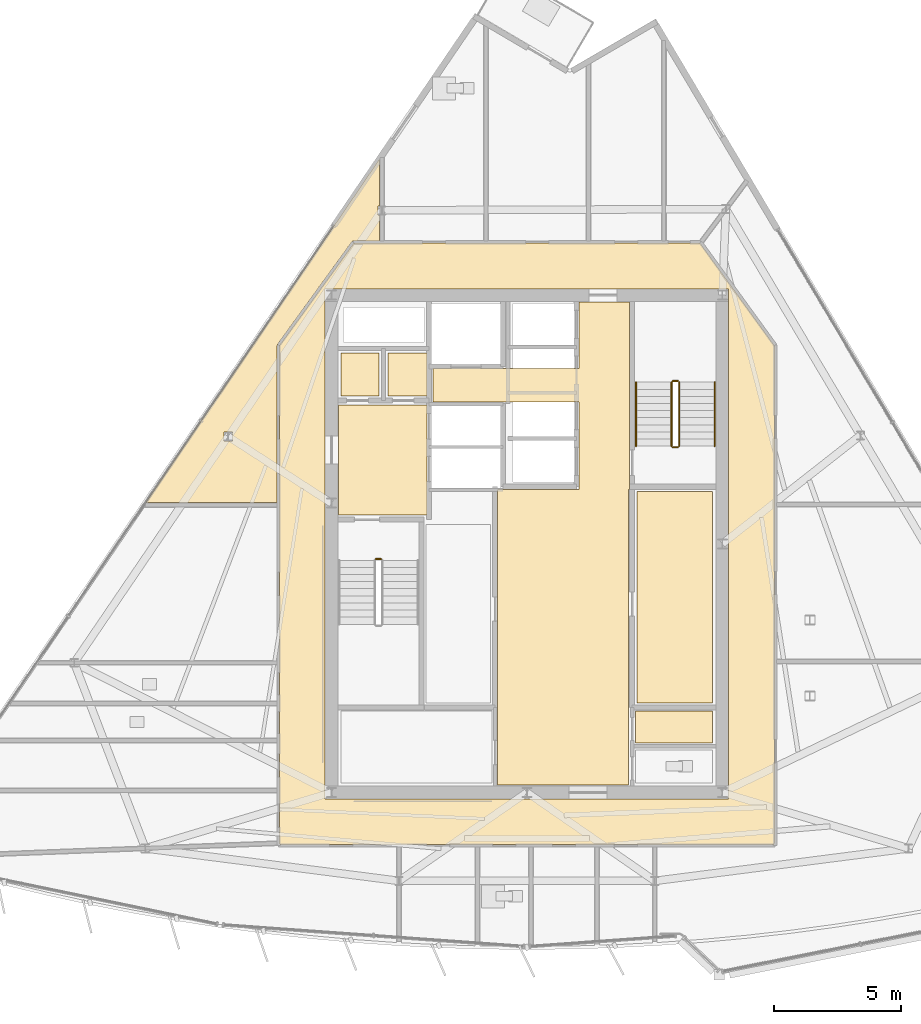
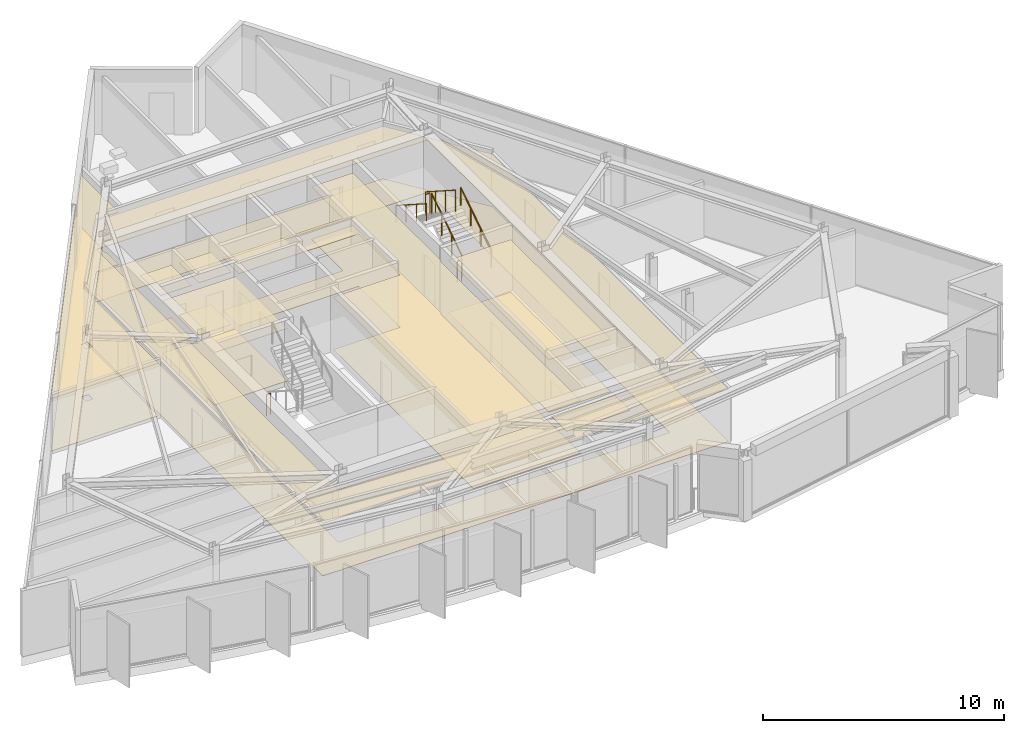
# One storey, part 12 of 14: 15 coverings, 7 railings.
"""IFC4 building model written with IfcOpenShell, lengths in metres."""

from ifc_helpers import new_model, si_unit, direction, frame, origin, origin_2d, place, context, subcontext, project, spatial, polyline, circle, outline, extrude, material, layer, layer_set, type_object, element, save


model = new_model("IFC4")

# Units and contexts
model_context = context("Model", 3, precision=1e-05, world=origin(), true_north=direction((0.0, 1.0)))
body_context = subcontext(model_context, "Body", "Model", "MODEL_VIEW")
ifc_project = project(units=[si_unit("LENGTHUNIT", "METRE"), si_unit("AREAUNIT", "SQUARE_METRE"), si_unit("VOLUMEUNIT", "CUBIC_METRE"), si_unit("PLANEANGLEUNIT", "RADIAN"), si_unit("MASSUNIT", "GRAM", prefix="KILO")], contexts=[model_context])

# Site, building, storey
site_placement = place(None, origin())
site = spatial("IfcSite", under=ifc_project, at=site_placement, CompositionType="ELEMENT")
building_placement = place(site_placement, origin())
building = spatial("IfcBuilding", under=site, at=building_placement, Name="Savorim Split Tower", CompositionType="ELEMENT")
storey_placement = place(building_placement, frame((0.0, 0.0, 294.0)))
storey = spatial("IfcBuildingStorey", under=building, at=storey_placement, Name="L78", CompositionType="ELEMENT", Elevation=294.0)

# Coverings
ifc_material_1 = material(Name="Mineral Fibre Acoustic Ceiling")
ifc_layer_1 = layer(ifc_material_1, 0.02490234375)
ifc_layer_set_1 = layer_set([ifc_layer_1], Name="COV-CEIL-25")
covering_type_1 = type_object("IfcCoveringType", Name="COV-CEIL-25", PredefinedType="CEILING", material=ifc_layer_set_1)
covering_1_placement = place(storey_placement, frame((0.0, 0.0, 2.659912109375)))
element("IfcCovering", 1, at=covering_1_placement, inside=storey, type_object=covering_type_1, Name="L78 Firefighting Lift Lobby Acoustic Ceiling", PredefinedType="CEILING", context=body_context, shape_type="SweptSolid", body=[
    extrude(outline(polyline([(-7.429931640625, 5.8701171875), (-7.429931640625, 1.530029296875), (-3.929931640625, 1.530029296875), (-3.929931640625, 5.8701171875), (-7.429931640625, 5.8701171875)])), origin(), (0.0, 0.0, 1.0), 0.025146484375),
])
covering_2_placement = place(storey_placement, frame((0.0, 0.0, 2.659912109375)))
element("IfcCovering", 2, at=covering_2_placement, inside=storey, type_object=covering_type_1, Name="L78 Electrical Riser Acoustic Ceiling", PredefinedType="CEILING", context=body_context, shape_type="SweptSolid", body=[
    extrude(outline(polyline([(-7.320068359375, 7.919921875), (-7.320068359375, 6.22998046875), (-5.830078125, 6.22998046875), (-5.830078125, 7.919921875), (-7.320068359375, 7.919921875)])), origin(), (0.0, 0.0, 1.0), 0.025146484375),
])
covering_3_placement = place(storey_placement, frame((0.0, 0.0, 2.659912109375)))
element("IfcCovering", 3, at=covering_3_placement, inside=storey, type_object=covering_type_1, Name="L78 Telecom Riser Acoustic Ceiling", PredefinedType="CEILING", context=body_context, shape_type="SweptSolid", body=[
    extrude(outline(polyline([(-5.469970703125, 7.919921875), (-5.469970703125, 6.22998046875), (-3.929931640625, 6.22998046875), (-3.929931640625, 7.919921875), (-5.469970703125, 7.919921875)])), origin(), (0.0, 0.0, 1.0), 0.025146484375),
])
covering_4_placement = place(storey_placement, frame((0.0, 0.0, 2.659912109375)))
element("IfcCovering", 4, at=covering_4_placement, inside=storey, type_object=covering_type_1, Name="L78 Lift Lobby Acoustic Ceiling", PredefinedType="CEILING", context=body_context, shape_type="SweptSolid", body=[
    extrude(outline(polyline([(2.050048828125, 2.550048828125), (-1.14990234375, 2.550048828125), (-1.14990234375, -9.10009765625), (4.0, -9.10009765625), (4.0, 2.550048828125), (4.050048828125, 2.550048828125), (4.050048828125, 5.97998046875), (4.050048828125, 7.300048828125), (4.050048828125, 9.929931640625), (2.050048828125, 9.929931640625), (2.050048828125, 7.300048828125), (-3.699951171875, 7.300048828125), (-3.699951171875, 5.97998046875), (2.050048828125, 5.97998046875), (2.050048828125, 2.550048828125)])), origin(), (0.0, 0.0, 1.0), 0.025146484375),
])
covering_5_placement = place(storey_placement, frame((0.0, 0.0, 2.659912109375)))
element("IfcCovering", 5, at=covering_5_placement, inside=storey, type_object=covering_type_1, Name="L78 Shared Pantry and Linen Room Acoustic Ceiling", PredefinedType="CEILING", context=body_context, shape_type="SweptSolid", body=[
    extrude(outline(polyline([(4.330078125, 2.469970703125), (4.330078125, -5.8701171875), (7.320068359375, -5.8701171875), (7.320068359375, 2.469970703125), (4.330078125, 2.469970703125)])), origin(), (0.0, 0.0, 1.0), 0.025146484375),
])
covering_6_placement = place(storey_placement, frame((0.0, 0.0, 2.659912109375)))
element("IfcCovering", 6, at=covering_6_placement, inside=storey, type_object=covering_type_1, Name="L78 Corridor Acoustic Ceiling", PredefinedType="CEILING", context=body_context, shape_type="SweptSolid", body=[
    extrude(outline(polyline([(6.809326171875, 12.2490234375), (6.8046875, 12.249755859375), (6.800048828125, 12.25), (-6.800048828125, 12.25), (-6.8046875, 12.249755859375), (-6.809326171875, 12.2490234375), (-6.81396484375, 12.248046875), (-6.818359375, 12.24658203125), (-6.82275390625, 12.244384765625), (-6.826904296875, 12.2421875), (-6.830810546875, 12.239501953125), (-6.834228515625, 12.236328125), (-6.83740234375, 12.23291015625), (-6.840576171875, 12.229248046875), (-9.740478515625, 8.229248046875), (-9.743408203125, 8.22509765625), (-9.74560546875, 8.22021484375), (-9.74755859375, 8.21533203125), (-9.748779296875, 8.21044921875), (-9.749755859375, 8.205078125), (-9.75, 8.199951171875), (-9.75, -11.39990234375), (-9.749755859375, -11.40478515625), (-9.7490234375, -11.409912109375), (-9.747802734375, -11.41455078125), (-9.74609375, -11.419189453125), (-9.744140625, -11.423583984375), (-9.74169921875, -11.427734375), (-9.73876953125, -11.431640625), (-9.7353515625, -11.435302734375), (-9.731689453125, -11.438720703125), (-9.727783203125, -11.441650390625), (-9.7236328125, -11.444091796875), (-9.718994140625, -11.4462890625), (-9.714599609375, -11.44775390625), (-9.709716796875, -11.448974609375), (-9.704833984375, -11.44970703125), (-9.699951171875, -11.449951171875), (9.699951171875, -11.449951171875), (9.704833984375, -11.44970703125), (9.709716796875, -11.448974609375), (9.714599609375, -11.44775390625), (9.718994140625, -11.4462890625), (9.7236328125, -11.444091796875), (9.727783203125, -11.441650390625), (9.731689453125, -11.438720703125), (9.7353515625, -11.435302734375), (9.73876953125, -11.431640625), (9.74169921875, -11.427734375), (9.744140625, -11.423583984375), (9.74609375, -11.419189453125), (9.747802734375, -11.41455078125), (9.7490234375, -11.409912109375), (9.749755859375, -11.40478515625), (9.75, -11.39990234375), (9.75, 8.199951171875), (9.749755859375, 8.205078125), (9.748779296875, 8.21044921875), (9.74755859375, 8.21533203125), (9.74560546875, 8.22021484375), (9.743408203125, 8.22509765625), (9.740478515625, 8.229248046875), (6.840576171875, 12.229248046875), (6.83740234375, 12.23291015625), (6.834228515625, 12.236328125), (6.830810546875, 12.239501953125), (6.826904296875, 12.2421875), (6.82275390625, 12.244384765625), (6.818359375, 12.24658203125), (6.81396484375, 12.248046875), (6.809326171875, 12.2490234375)]), holes=[polyline([(-7.949951171875, 10.449951171875), (-7.949951171875, -9.64990234375), (7.949951171875, -9.64990234375), (7.949951171875, 10.449951171875), (-7.949951171875, 10.449951171875)])]), origin(), (0.0, 0.0, 1.0), 0.025146484375),
])
covering_7_placement = place(storey_placement, frame((0.0, 0.0, 2.659912109375)))
element("IfcCovering", 7, at=covering_7_placement, inside=storey, type_object=covering_type_1, Name="L78 Maker Workshop Acoustic Ceiling", PredefinedType="CEILING", context=body_context, shape_type="SweptSolid", body=[
    extrude(outline(polyline([(-6.813232421875, 12.33935546875), (-6.800048828125, 12.340087890625), (-5.80517578125, 12.340087890625), (-5.80517578125, 13.3671875), (-5.874755859375, 13.3671875), (-5.874755859375, 13.71728515625), (-5.80517578125, 13.71728515625), (-5.80517578125, 15.572998046875), (-15.021728515625, 2.02490234375), (-9.840087890625, 2.02490234375), (-9.840087890625, 8.199951171875), (-9.839111328125, 8.214599609375), (-9.8369140625, 8.22900390625), (-9.833251953125, 8.2431640625), (-9.827880859375, 8.2568359375), (-9.8212890625, 8.27001953125), (-9.813232421875, 8.2822265625), (-6.913330078125, 12.2822265625), (-6.905029296875, 12.29248046875), (-6.89599609375, 12.302001953125), (-6.885986328125, 12.310546875), (-6.875, 12.318115234375), (-6.863525390625, 12.32470703125), (-6.8515625, 12.330078125), (-6.839111328125, 12.33447265625), (-6.826416015625, 12.33740234375), (-6.813232421875, 12.33935546875)]), holes=[polyline([(-11.61083984375, 4.451904296875), (-11.61083984375, 4.8017578125), (-11.939697265625, 4.8017578125), (-11.939697265625, 4.451904296875), (-11.61083984375, 4.451904296875)])]), origin(), (0.0, 0.0, 1.0), 0.025146484375),
])
ifc_material_2 = material(Name="Porcelain Stoneware Flooring", Category="masonry")
ifc_layer_2 = layer(ifc_material_2, 0.02001953125)
ifc_layer_set_2 = layer_set([ifc_layer_2], Name="COV-FLOR-20")
covering_type_2 = type_object("IfcCoveringType", Name="COV-FLOR-20", PredefinedType="FLOORING", material=ifc_layer_set_2)
covering_8_placement = place(storey_placement, origin())
element("IfcCovering", 8, at=covering_8_placement, inside=storey, type_object=covering_type_2, Name="L78 Firefighting Lift Lobby Porcelain Flooring", PredefinedType="FLOORING", context=body_context, shape_type="SweptSolid", body=[
    extrude(outline(polyline([(-7.429931640625, 5.8701171875), (-7.429931640625, 1.530029296875), (-3.929931640625, 1.530029296875), (-3.929931640625, 5.8701171875), (-7.429931640625, 5.8701171875)])), origin(), (0.0, 0.0, 1.0), 0.02001953125),
])
covering_9_placement = place(storey_placement, origin())
element("IfcCovering", 9, at=covering_9_placement, inside=storey, type_object=covering_type_2, Name="L78 Electrical Riser Porcelain Flooring", PredefinedType="FLOORING", context=body_context, shape_type="SweptSolid", body=[
    extrude(outline(polyline([(-7.320068359375, 7.919921875), (-7.320068359375, 6.22998046875), (-5.830078125, 6.22998046875), (-5.830078125, 7.919921875), (-7.320068359375, 7.919921875)])), origin(), (0.0, 0.0, 1.0), 0.02001953125),
])
covering_10_placement = place(storey_placement, origin())
element("IfcCovering", 10, at=covering_10_placement, inside=storey, type_object=covering_type_2, Name="L78 Telecom Riser Porcelain Flooring", PredefinedType="FLOORING", context=body_context, shape_type="SweptSolid", body=[
    extrude(outline(polyline([(-5.469970703125, 7.919921875), (-5.469970703125, 6.22998046875), (-3.929931640625, 6.22998046875), (-3.929931640625, 7.919921875), (-5.469970703125, 7.919921875)])), origin(), (0.0, 0.0, 1.0), 0.02001953125),
])
covering_11_placement = place(storey_placement, origin())
element("IfcCovering", 11, at=covering_11_placement, inside=storey, type_object=covering_type_2, Name="L78 Lift Lobby Porcelain Flooring", PredefinedType="FLOORING", context=body_context, shape_type="SweptSolid", body=[
    extrude(outline(polyline([(2.050048828125, 2.550048828125), (-1.14990234375, 2.550048828125), (-1.14990234375, -9.10009765625), (4.0, -9.10009765625), (4.0, 2.550048828125), (4.050048828125, 2.550048828125), (4.050048828125, 5.97998046875), (4.050048828125, 7.300048828125), (4.050048828125, 9.929931640625), (2.050048828125, 9.929931640625), (2.050048828125, 7.300048828125), (-3.699951171875, 7.300048828125), (-3.699951171875, 5.97998046875), (2.050048828125, 5.97998046875), (2.050048828125, 2.550048828125)])), origin(), (0.0, 0.0, 1.0), 0.02001953125),
])
covering_12_placement = place(storey_placement, origin())
element("IfcCovering", 12, at=covering_12_placement, inside=storey, type_object=covering_type_2, Name="L78 Shared Pantry and Linen Room Porcelain Flooring", PredefinedType="FLOORING", context=body_context, shape_type="SweptSolid", body=[
    extrude(outline(polyline([(4.330078125, 2.469970703125), (4.330078125, -5.8701171875), (7.320068359375, -5.8701171875), (7.320068359375, 2.469970703125), (4.330078125, 2.469970703125)])), origin(), (0.0, 0.0, 1.0), 0.02001953125),
])
covering_13_placement = place(storey_placement, origin())
element("IfcCovering", 13, at=covering_13_placement, inside=storey, type_object=covering_type_2, Name="L78 Cleaning Store Porcelain Flooring", PredefinedType="FLOORING", context=body_context, shape_type="SweptSolid", body=[
    extrude(outline(polyline([(4.280029296875, -6.179931640625), (4.280029296875, -7.43994140625), (7.320068359375, -7.43994140625), (7.320068359375, -6.179931640625), (4.280029296875, -6.179931640625)])), origin(), (0.0, 0.0, 1.0), 0.02001953125),
])
covering_14_placement = place(storey_placement, origin())
element("IfcCovering", 14, at=covering_14_placement, inside=storey, type_object=covering_type_2, Name="L78 Corridor Porcelain Flooring", PredefinedType="FLOORING", context=body_context, shape_type="SweptSolid", body=[
    extrude(outline(polyline([(6.809326171875, 12.2490234375), (6.8046875, 12.249755859375), (6.800048828125, 12.25), (-6.800048828125, 12.25), (-6.8046875, 12.249755859375), (-6.809326171875, 12.2490234375), (-6.81396484375, 12.248046875), (-6.818359375, 12.24658203125), (-6.82275390625, 12.244384765625), (-6.826904296875, 12.2421875), (-6.830810546875, 12.239501953125), (-6.834228515625, 12.236328125), (-6.83740234375, 12.23291015625), (-6.840576171875, 12.229248046875), (-9.740478515625, 8.229248046875), (-9.743408203125, 8.22509765625), (-9.74560546875, 8.22021484375), (-9.74755859375, 8.21533203125), (-9.748779296875, 8.21044921875), (-9.749755859375, 8.205078125), (-9.75, 8.199951171875), (-9.75, -11.39990234375), (-9.749755859375, -11.40478515625), (-9.7490234375, -11.409912109375), (-9.747802734375, -11.41455078125), (-9.74609375, -11.419189453125), (-9.744140625, -11.423583984375), (-9.74169921875, -11.427734375), (-9.73876953125, -11.431640625), (-9.7353515625, -11.435302734375), (-9.731689453125, -11.438720703125), (-9.727783203125, -11.441650390625), (-9.7236328125, -11.444091796875), (-9.718994140625, -11.4462890625), (-9.714599609375, -11.44775390625), (-9.709716796875, -11.448974609375), (-9.704833984375, -11.44970703125), (-9.699951171875, -11.449951171875), (9.699951171875, -11.449951171875), (9.704833984375, -11.44970703125), (9.709716796875, -11.448974609375), (9.714599609375, -11.44775390625), (9.718994140625, -11.4462890625), (9.7236328125, -11.444091796875), (9.727783203125, -11.441650390625), (9.731689453125, -11.438720703125), (9.7353515625, -11.435302734375), (9.73876953125, -11.431640625), (9.74169921875, -11.427734375), (9.744140625, -11.423583984375), (9.74609375, -11.419189453125), (9.747802734375, -11.41455078125), (9.7490234375, -11.409912109375), (9.749755859375, -11.40478515625), (9.75, -11.39990234375), (9.75, 8.199951171875), (9.749755859375, 8.205078125), (9.748779296875, 8.21044921875), (9.74755859375, 8.21533203125), (9.74560546875, 8.22021484375), (9.743408203125, 8.22509765625), (9.740478515625, 8.229248046875), (6.840576171875, 12.229248046875), (6.83740234375, 12.23291015625), (6.834228515625, 12.236328125), (6.830810546875, 12.239501953125), (6.826904296875, 12.2421875), (6.82275390625, 12.244384765625), (6.818359375, 12.24658203125), (6.81396484375, 12.248046875), (6.809326171875, 12.2490234375)]), holes=[polyline([(-7.949951171875, 10.449951171875), (-7.949951171875, -9.64990234375), (7.949951171875, -9.64990234375), (7.949951171875, 10.449951171875), (-7.949951171875, 10.449951171875)])]), origin(), (0.0, 0.0, 1.0), 0.02001953125),
])
covering_15_placement = place(storey_placement, origin())
element("IfcCovering", 15, at=covering_15_placement, inside=storey, type_object=covering_type_2, Name="L78 Maker Workshop Porcelain Flooring", PredefinedType="FLOORING", context=body_context, shape_type="SweptSolid", body=[
    extrude(outline(polyline([(-6.813232421875, 12.33935546875), (-6.800048828125, 12.340087890625), (-5.80517578125, 12.340087890625), (-5.80517578125, 13.3671875), (-5.874755859375, 13.3671875), (-5.874755859375, 13.71728515625), (-5.80517578125, 13.71728515625), (-5.80517578125, 15.572998046875), (-15.021728515625, 2.02490234375), (-9.840087890625, 2.02490234375), (-9.840087890625, 8.199951171875), (-9.839111328125, 8.214599609375), (-9.8369140625, 8.22900390625), (-9.833251953125, 8.2431640625), (-9.827880859375, 8.2568359375), (-9.8212890625, 8.27001953125), (-9.813232421875, 8.2822265625), (-6.913330078125, 12.2822265625), (-6.905029296875, 12.29248046875), (-6.89599609375, 12.302001953125), (-6.885986328125, 12.310546875), (-6.875, 12.318115234375), (-6.863525390625, 12.32470703125), (-6.8515625, 12.330078125), (-6.839111328125, 12.33447265625), (-6.826416015625, 12.33740234375), (-6.813232421875, 12.33935546875)]), holes=[polyline([(-11.61083984375, 4.451904296875), (-11.61083984375, 4.8017578125), (-11.939697265625, 4.8017578125), (-11.939697265625, 4.451904296875), (-11.61083984375, 4.451904296875)])]), origin(), (0.0, 0.0, 1.0), 0.02001953125),
])

# Railings
ifc_material_3 = material(Name="Galvanised Painted Steel Balustrade", Category="steel")
railing_type_1 = type_object("IfcRailingType", Name="RLG-HR-900", PredefinedType="HANDRAIL", material=ifc_material_3)
railing_1_placement = place(storey_placement, frame((7.39990234375, 4.25, 0.179931640625)))
element("IfcRailing", 16, at=railing_1_placement, inside=storey, type_object=railing_type_1, Name="L78 ST-2 stair handrail 1", PredefinedType="HANDRAIL", context=body_context, shape_type="SweptSolid", body=[
    extrude(circle(Radius=0.02392578125, at=origin_2d()), frame((0.0, 0.0, 0.8759765625), z_axis=(0.0, 0.841162588446, 0.540782303519), x_axis=(-1.0, 0.0, 0.0)), (0.0, 0.0, 1.0), 2.995849609375),
    extrude(circle(Radius=0.02099609375, at=origin_2d()), origin(), (0.0, 0.0, 1.0), 0.851806640625),
    extrude(circle(Radius=0.02099609375, at=origin_2d()), frame((0.0, 0.840087890625, 0.5400390625)), (0.0, 0.0, 1.0), 0.851806640625),
    extrude(circle(Radius=0.02099609375, at=origin_2d()), frame((0.0, 1.679931640625, 1.080078125)), (0.0, 0.0, 1.0), 0.851806640625),
    extrude(circle(Radius=0.02099609375, at=origin_2d()), frame((0.0, 2.52001953125, 1.6201171875)), (0.0, 0.0, 1.0), 0.851806640625),
])
railing_2_placement = place(storey_placement, frame((4.300048828125, 6.77001953125, 1.97998046875)))
element("IfcRailing", 17, at=railing_2_placement, inside=storey, type_object=railing_type_1, Name="L78 ST-2 stair handrail 2", PredefinedType="HANDRAIL", context=body_context, shape_type="SweptSolid", body=[
    extrude(circle(Radius=0.02392578125, at=origin_2d()), frame((0.0, 0.0, 0.8759765625), z_axis=(0.0, -0.841162588446, 0.540782303519), x_axis=(1.0, 0.0, 0.0)), (0.0, 0.0, 1.0), 2.995849609375),
    extrude(circle(Radius=0.02099609375, at=origin_2d()), origin(), (0.0, 0.0, 1.0), 0.851806640625),
    extrude(circle(Radius=0.02099609375, at=origin_2d()), frame((0.0, -0.840087890625, 0.5400390625)), (0.0, 0.0, 1.0), 0.851806640625),
    extrude(circle(Radius=0.02099609375, at=origin_2d()), frame((0.0, -1.679931640625, 1.080078125)), (0.0, 0.0, 1.0), 0.851806640625),
    extrude(circle(Radius=0.02099609375, at=origin_2d()), frame((0.0, -2.52001953125, 1.6201171875)), (0.0, 0.0, 1.0), 0.851806640625),
])
railing_type_2 = type_object("IfcRailingType", Name="RLG-STG-1100", PredefinedType="BALUSTRADE", material=ifc_material_3)
railing_3_placement = place(storey_placement, frame((-5.949951171875, -0.199951171875, 0.0)))
element("IfcRailing", 18, at=railing_3_placement, inside=storey, type_object=railing_type_2, Name="L78 ST-1 stair guard 4", PredefinedType="BALUSTRADE", context=body_context, shape_type="SweptSolid", body=[
    extrude(circle(Radius=0.02392578125, at=origin_2d()), frame((0.0, 0.0, 1.076171875), z_axis=(1.0, 0.0, 0.0), x_axis=(0.0, 1.0, 0.0)), (0.0, 0.0, 1.0), 0.199951171875),
    extrude(circle(Radius=0.02099609375, at=origin_2d()), origin(), (0.0, 0.0, 1.0), 1.052001953125),
    extrude(circle(Radius=0.02099609375, at=origin_2d()), frame((0.199951171875, 0.0, 0.0)), (0.0, 0.0, 1.0), 1.052001953125),
])
railing_4_placement = place(storey_placement, frame((6.0, 4.25, 0.179931640625)))
element("IfcRailing", 19, at=railing_4_placement, inside=storey, type_object=railing_type_2, Name="L78 ST-2 stair guard 1", PredefinedType="BALUSTRADE", context=body_context, shape_type="SweptSolid", body=[
    extrude(circle(Radius=0.02392578125, at=origin_2d()), frame((0.0, 0.0, 1.076171875), z_axis=(0.0, 0.841162588446, 0.540782303519), x_axis=(-1.0, 0.0, 0.0)), (0.0, 0.0, 1.0), 2.995849609375),
    extrude(circle(Radius=0.02099609375, at=origin_2d()), origin(), (0.0, 0.0, 1.0), 1.052001953125),
    extrude(circle(Radius=0.02099609375, at=origin_2d()), frame((0.0, 0.840087890625, 0.5400390625)), (0.0, 0.0, 1.0), 1.052001953125),
    extrude(circle(Radius=0.02099609375, at=origin_2d()), frame((0.0, 1.679931640625, 1.080078125)), (0.0, 0.0, 1.0), 1.052001953125),
    extrude(circle(Radius=0.02099609375, at=origin_2d()), frame((0.0, 2.52001953125, 1.6201171875)), (0.0, 0.0, 1.0), 1.052001953125),
])
railing_5_placement = place(storey_placement, frame((5.949951171875, 6.820068359375, 1.800048828125)))
element("IfcRailing", 20, at=railing_5_placement, inside=storey, type_object=railing_type_2, Name="L78 ST-2 stair guard 2", PredefinedType="BALUSTRADE", context=body_context, shape_type="SweptSolid", body=[
    extrude(circle(Radius=0.02392578125, at=origin_2d()), frame((0.0, 0.0, 1.076171875), z_axis=(-1.0, 0.0, 0.0), x_axis=(0.0, -1.0, 0.0)), (0.0, 0.0, 1.0), 0.199951171875),
    extrude(circle(Radius=0.02099609375, at=origin_2d()), origin(), (0.0, 0.0, 1.0), 1.052001953125),
    extrude(circle(Radius=0.02099609375, at=origin_2d()), frame((-0.199951171875, 0.0, 0.0)), (0.0, 0.0, 1.0), 1.052001953125),
])
railing_6_placement = place(storey_placement, frame((5.699951171875, 6.77001953125, 1.97998046875)))
element("IfcRailing", 21, at=railing_6_placement, inside=storey, type_object=railing_type_2, Name="L78 ST-2 stair guard 3", PredefinedType="BALUSTRADE", context=body_context, shape_type="SweptSolid", body=[
    extrude(circle(Radius=0.02392578125, at=origin_2d()), frame((0.0, 0.0, 1.076171875), z_axis=(0.0, -0.841162588446, 0.540782303519), x_axis=(1.0, 0.0, 0.0)), (0.0, 0.0, 1.0), 2.995849609375),
    extrude(circle(Radius=0.02099609375, at=origin_2d()), origin(), (0.0, 0.0, 1.0), 1.052001953125),
    extrude(circle(Radius=0.02099609375, at=origin_2d()), frame((0.0, -0.840087890625, 0.5400390625)), (0.0, 0.0, 1.0), 1.052001953125),
    extrude(circle(Radius=0.02099609375, at=origin_2d()), frame((0.0, -1.679931640625, 1.080078125)), (0.0, 0.0, 1.0), 1.052001953125),
    extrude(circle(Radius=0.02099609375, at=origin_2d()), frame((0.0, -2.52001953125, 1.6201171875)), (0.0, 0.0, 1.0), 1.052001953125),
])
railing_7_placement = place(storey_placement, frame((5.949951171875, 4.199951171875, 0.0)))
element("IfcRailing", 22, at=railing_7_placement, inside=storey, type_object=railing_type_2, Name="L78 ST-2 stair guard 4", PredefinedType="BALUSTRADE", context=body_context, shape_type="SweptSolid", body=[
    extrude(circle(Radius=0.02392578125, at=origin_2d()), frame((0.0, 0.0, 1.076171875), z_axis=(-1.0, 0.0, 0.0), x_axis=(0.0, -1.0, 0.0)), (0.0, 0.0, 1.0), 0.199951171875),
    extrude(circle(Radius=0.02099609375, at=origin_2d()), origin(), (0.0, 0.0, 1.0), 1.052001953125),
    extrude(circle(Radius=0.02099609375, at=origin_2d()), frame((-0.199951171875, 0.0, 0.0)), (0.0, 0.0, 1.0), 1.052001953125),
])

save(model, "model.ifc")
